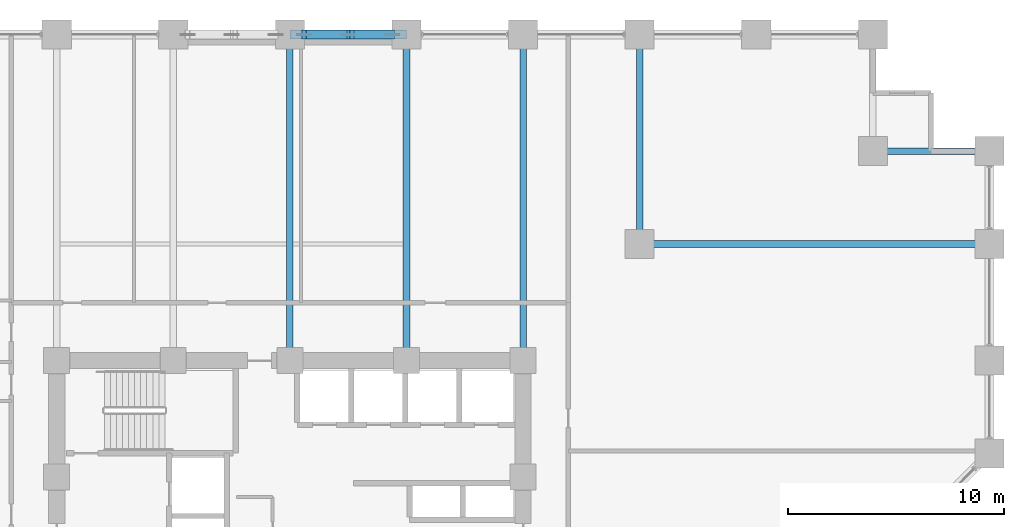
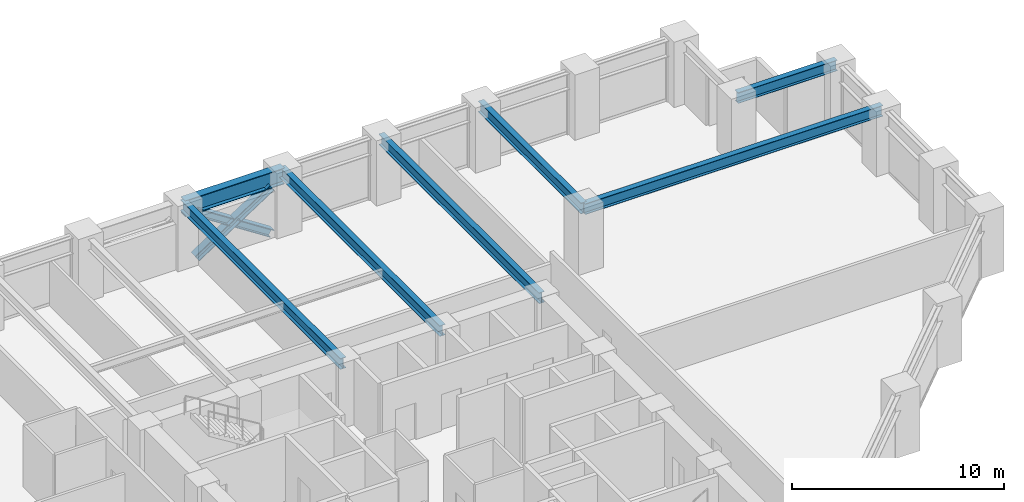
# One storey, part 14 of 25: 7 beams, 3 members.
"""IFC4 building model written with IfcOpenShell, lengths in metres."""

from ifc_helpers import new_model, si_unit, direction, frame, origin, origin_2d, place, context, subcontext, project, spatial, i_section, extrude, material, material_profile, profile_set, type_object, element, save


model = new_model("IFC4")

# Units and contexts
model_context = context("Model", 3, precision=1e-05, world=origin(), true_north=direction((0.0, 1.0)))
body_context = subcontext(model_context, "Body", "Model", "MODEL_VIEW")
ifc_project = project(units=[si_unit("LENGTHUNIT", "METRE"), si_unit("AREAUNIT", "SQUARE_METRE"), si_unit("VOLUMEUNIT", "CUBIC_METRE"), si_unit("PLANEANGLEUNIT", "RADIAN"), si_unit("MASSUNIT", "GRAM", prefix="KILO")], contexts=[model_context])

# Site, building, storey
site_placement = place(None, origin())
site = spatial("IfcSite", under=ifc_project, at=site_placement, CompositionType="ELEMENT")
building_placement = place(site_placement, origin())
building = spatial("IfcBuilding", under=site, at=building_placement, Name="Surkhivell Harbour Commons", CompositionType="ELEMENT")
storey_placement = place(building_placement, frame((0.0, 0.0, 52.5)))
storey = spatial("IfcBuildingStorey", under=building, at=storey_placement, Name="L13", CompositionType="ELEMENT", Elevation=52.5)

# Beams
ifc_material_1 = material(Name="Steel S355", Category="steel")
ifc_material_profile_1 = material_profile(ifc_material_1, i_section(OverallWidth=0.306884765625, OverallDepth=0.6201171875, WebThickness=0.01416015625, FlangeThickness=0.023681640625, at=origin_2d()), Name="UB610x305x179")
ifc_profile_set_1 = profile_set([ifc_material_profile_1], Name="Steel S355")
beam_type_1 = type_object("IfcBeamType", Name="BM-GRD-610A", PredefinedType="BEAM", material=ifc_profile_set_1)
for number, where, z_axis, x_axis, name in (
    (1, (0.0, 10.800048828125, 3.260009765625), (0.0, 1.0, 0.0), (-1.0, 0.0, 0.0), "L13 Floor Girder (0.0,10.8)"),
    (2, (5.39990234375, 10.800048828125, 3.260009765625), (0.0, 1.0, 0.0), (-1.0, 0.0, 0.0), "L13 Floor Girder (5.4,10.8)"),
    (3, (10.800048828125, 10.800048828125, 3.260009765625), (0.0, 1.0, 0.0), (-1.0, 0.0, 0.0), "L13 Floor Girder (10.8,10.8)"),
):
    element("IfcBeam", number, at=place(storey_placement, frame(where, z_axis=z_axis, x_axis=x_axis)), inside=storey, type_object=beam_type_1, Name=name, PredefinedType="BEAM", context=body_context, shape_type="SweptSolid", body=[
        extrude(i_section(OverallWidth=0.306884765625, OverallDepth=0.6201171875, WebThickness=0.01416015625, FlangeThickness=0.023681640625, at=origin_2d()), origin(), (0.0, 0.0, 1.0), 15.099853515625),
    ])
beam_1_placement = place(storey_placement, frame((16.199951171875, 16.199951171875, 3.260009765625), z_axis=(0.0, 1.0, 0.0), x_axis=(-1.0, 0.0, 0.0)))
element("IfcBeam", 4, at=beam_1_placement, inside=storey, type_object=beam_type_1, Name="L13 Floor Girder (16.2,16.2)", PredefinedType="BEAM", context=body_context, shape_type="SweptSolid", body=[
    extrude(i_section(OverallWidth=0.306884765625, OverallDepth=0.6201171875, WebThickness=0.01416015625, FlangeThickness=0.023681640625, at=origin_2d()), origin(), (0.0, 0.0, 1.0), 9.699951171875),
])
beam_2_placement = place(storey_placement, frame((16.199951171875, 16.199951171875, 3.260009765625), z_axis=(1.0, 0.0, 0.0), x_axis=(0.0, 1.0, 0.0)))
element("IfcBeam", 5, at=beam_2_placement, inside=storey, type_object=beam_type_1, Name="L13 Floor Girder (16.2,16.2)", PredefinedType="BEAM", context=body_context, shape_type="SweptSolid", body=[
    extrude(i_section(OverallWidth=0.306884765625, OverallDepth=0.6201171875, WebThickness=0.01416015625, FlangeThickness=0.023681640625, at=origin_2d()), origin(), (0.0, 0.0, 1.0), 16.199951171875),
])
beam_3_placement = place(storey_placement, frame((27.0, 20.5, 3.260009765625), z_axis=(1.0, 0.0, 0.0), x_axis=(0.0, 1.0, 0.0)))
element("IfcBeam", 6, at=beam_3_placement, inside=storey, type_object=beam_type_1, Name="L13 Floor Girder (27.0,20.5)", PredefinedType="BEAM", context=body_context, shape_type="SweptSolid", body=[
    extrude(i_section(OverallWidth=0.306884765625, OverallDepth=0.6201171875, WebThickness=0.01416015625, FlangeThickness=0.023681640625, at=origin_2d()), origin(), (0.0, 0.0, 1.0), 5.39990234375),
])
ifc_material_2 = material(Name="Steel S460", Category="steel")
ifc_material_profile_2 = material_profile(ifc_material_2, i_section(OverallWidth=0.419921875, OverallDepth=0.9208984375, WebThickness=0.021484375, FlangeThickness=0.03662109375, at=origin_2d()), Name="UB914x419x388")
ifc_profile_set_2 = profile_set([ifc_material_profile_2], Name="Steel S460")
beam_type_2 = type_object("IfcBeamType", Name="BM-SPN-914A", PredefinedType="SPANDREL", material=ifc_profile_set_2)
beam_4_placement = place(storey_placement, frame((0.0, 25.89990234375, 3.109619140625), z_axis=(1.0, 0.0, 0.0), x_axis=(0.0, 1.0, 0.0)))
element("IfcBeam", 7, at=beam_4_placement, inside=storey, type_object=beam_type_2, Name="L13 Tube Spandrel (-0.0,25.9)", PredefinedType="SPANDREL", context=body_context, shape_type="SweptSolid", body=[
    extrude(i_section(OverallWidth=0.419921875, OverallDepth=0.9208984375, WebThickness=0.021484375, FlangeThickness=0.03662109375, at=origin_2d()), origin(), (0.0, 0.0, 1.0), 5.39990234375),
])

# Members
ifc_material_profile_3 = material_profile(ifc_material_2, i_section(OverallWidth=0.406005859375, OverallDepth=0.416015625, WebThickness=0.026611328125, FlangeThickness=0.0390625, at=origin_2d()), Name="HD400x382")
ifc_profile_set_3 = profile_set([ifc_material_profile_3], Name="Steel S460")
member_type = type_object("IfcMemberType", Name="MEM-BRC-HD382", PredefinedType="BRACE", material=ifc_profile_set_3)
member_1_placement = place(storey_placement, frame((0.659912109375, 25.89990234375, 0.008056640625), z_axis=(0.83910375559, 0.0, 0.543971403067), x_axis=(0.0, 1.0, 0.0)))
element("IfcMember", 8, at=member_1_placement, inside=storey, type_object=member_type, Name="L13 Perimeter Mega-Brace MB- 04", PredefinedType="BRACE", context=body_context, shape_type="SweptSolid", body=[
    extrude(i_section(OverallWidth=0.406005859375, OverallDepth=0.416015625, WebThickness=0.026611328125, FlangeThickness=0.0390625, at=origin_2d()), origin(), (0.0, 0.0, 1.0), 4.8623046875),
])
member_2_placement = place(storey_placement, frame((4.739990234375, 25.89990234375, 0.008056640625), z_axis=(-0.83908547242, 0.0, 0.543999604756), x_axis=(0.0, -1.0, 0.0)))
element("IfcMember", 9, at=member_2_placement, inside=storey, type_object=member_type, Name="L13 Perimeter Mega-Brace MB- 05", PredefinedType="BRACE", context=body_context, shape_type="SweptSolid", body=[
    extrude(i_section(OverallWidth=0.406005859375, OverallDepth=0.416015625, WebThickness=0.026611328125, FlangeThickness=0.0390625, at=origin_2d()), origin(), (0.0, 0.0, 1.0), 2.2314453125),
])
member_3_placement = place(storey_placement, frame((2.532470703125, 25.89990234375, 1.439208984375), z_axis=(-0.839117847051, 0.0, 0.54394966565), x_axis=(0.0, -1.0, 0.0)))
element("IfcMember", 10, at=member_3_placement, inside=storey, type_object=member_type, Name="L13 Perimeter Mega-Brace MB- 06", PredefinedType="BRACE", context=body_context, shape_type="SweptSolid", body=[
    extrude(i_section(OverallWidth=0.406005859375, OverallDepth=0.416015625, WebThickness=0.026611328125, FlangeThickness=0.0390625, at=origin_2d()), origin(), (0.0, 0.0, 1.0), 2.231689453125),
])

save(model, "model.ifc")
